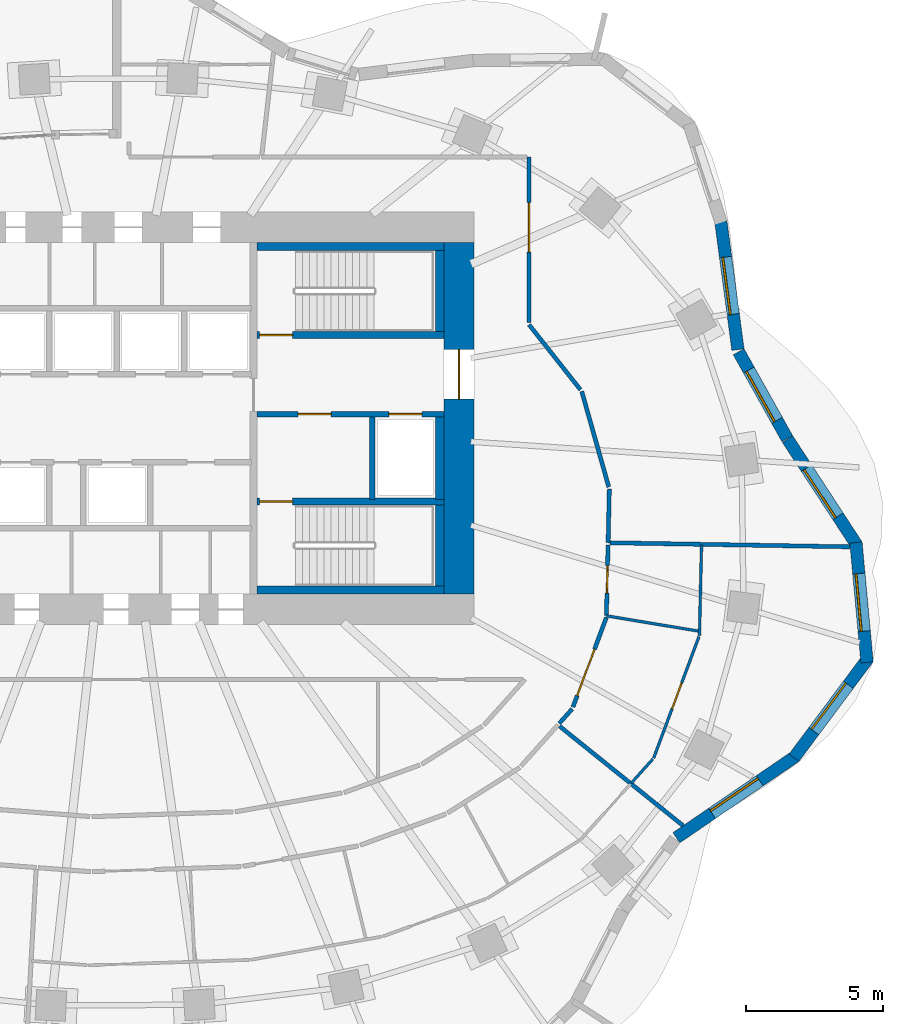
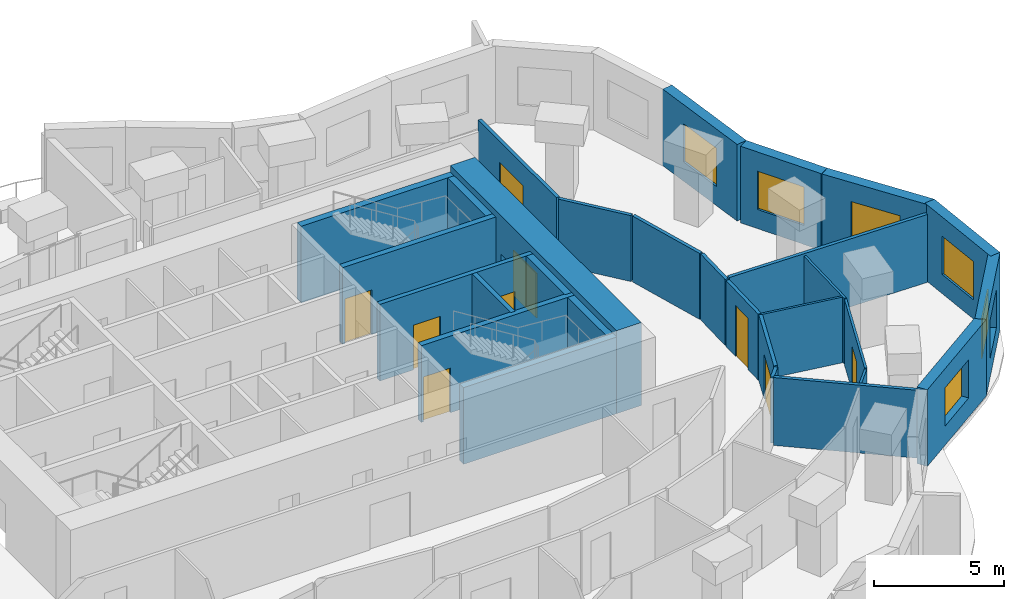
# One storey, part 8 of 11: 29 walls, 9 doors, 6 windows, 15 openings.
"""IFC4 building model written with IfcOpenShell, lengths in metres."""

from ifc_helpers import new_model, si_unit, direction, frame, frame_2d, origin, place, context, subcontext, project, spatial, rectangle, extrude, material, layer, layer_set, type_object, element, fill, save


model = new_model("IFC4")

# Units and contexts
model_context = context("Model", 3, precision=1e-05, world=origin(), true_north=direction((0.0, 1.0)))
body_context = subcontext(model_context, "Body", "Model", "MODEL_VIEW")
ifc_project = project(units=[si_unit("LENGTHUNIT", "METRE"), si_unit("AREAUNIT", "SQUARE_METRE"), si_unit("VOLUMEUNIT", "CUBIC_METRE"), si_unit("PLANEANGLEUNIT", "RADIAN"), si_unit("MASSUNIT", "GRAM", prefix="KILO")], contexts=[model_context])

# Site, building, storey
site_placement = place(None, origin())
site = spatial("IfcSite", under=ifc_project, at=site_placement, CompositionType="ELEMENT")
building_placement = place(site_placement, origin())
building = spatial("IfcBuilding", under=site, at=building_placement, Name="Rubra Terraces Tower", CompositionType="ELEMENT")
storey_placement = place(building_placement, frame((0.0, 0.0, 165.60009765625)))
storey = spatial("IfcBuildingStorey", under=building, at=storey_placement, Name="L40", CompositionType="ELEMENT", Elevation=165.60009765625)

# Wall, opening, window
ifc_material_1 = material(Name="Brick masonry red-brown", Category="masonry")
ifc_layer_1 = layer(ifc_material_1, 0.449951171875)
ifc_layer_set_1 = layer_set([ifc_layer_1], Name="Brick masonry red-brown")
wall_type_1 = type_object("IfcWallType", Name="Brick facade wall 450", PredefinedType="SOLIDWALL", material=ifc_layer_set_1)
wall_1_placement = place(storey_placement, frame((26.92626953125, -0.119140625, 0.0), z_axis=(0.0, 0.0, 1.0), x_axis=(-0.547072638725, 0.837085137819, 0.0)))
wall_1 = element("IfcWall", 1, at=wall_1_placement, inside=storey, type_object=wall_type_1, Name="Facade wall L40 bay 1", PredefinedType="SOLIDWALL", context=body_context, shape_type="SweptSolid", body=[
    extrude(rectangle(XDim=4.61572265625, YDim=0.449951171875, at=frame_2d((2.307861328125, 0.0))), origin(), (0.0, 0.0, 1.0), 3.599853515625),
])
opening_1_placement = place(wall_1_placement, frame((1.2578125, 0.0, 0.89990234375)))
opening_1 = element("IfcOpeningElement", 2, at=opening_1_placement, cuts=wall_1, Name="Opening W1Z", PredefinedType="OPENING", context=body_context, shape_type="SweptSolid", body=[
    extrude(rectangle(XDim=2.10009765625, YDim=1.800048828125, at=frame_2d((1.050048828125, 0.89990234375))), frame((0.0, 0.23486328125, 0.0), z_axis=(0.0, -1.0, 0.0), x_axis=(1.0, 0.0, 0.0)), (0.0, 0.0, 1.0), 0.469970703125),
])
ifc_material_2 = material(Name="Clear glass in aluminium frame", Category="aluminium")
window_type = type_object("IfcWindowType", Name="Fixed deep-set window under transfer level 2100 x 1800", PartitioningType="SINGLE_PANEL", PredefinedType="WINDOW", material=ifc_material_2)
window_1_placement = place(opening_1_placement, origin())
window_1 = element("IfcWindow", 3, at=window_1_placement, inside=storey, type_object=window_type, Name="Window L40 bay 1", OverallHeight=1.800048828125, OverallWidth=2.10009765625, PartitioningType="SINGLE_PANEL", PredefinedType="WINDOW", context=body_context, shape_type="SweptSolid", body=[
    extrude(rectangle(XDim=2.10009765625, YDim=1.800048828125, at=frame_2d((1.050048828125, 0.89990234375))), frame((0.0, 0.135009765625, 0.0), z_axis=(0.0, -1.0, 0.0), x_axis=(1.0, 0.0, 0.0)), (0.0, 0.0, 1.0), 0.06005859375),
])
fill(opening_1, window_1)

wall_2_placement = place(storey_placement, frame((24.392822265625, 3.759033203125, 0.0), z_axis=(0.0, 0.0, 1.0), x_axis=(-0.488324253004, 0.872662262234, 0.0)))
wall_2 = element("IfcWall", 4, at=wall_2_placement, inside=storey, type_object=wall_type_1, Name="Facade wall L40 bay 2", PredefinedType="SOLIDWALL", context=body_context, shape_type="SweptSolid", body=[
    extrude(rectangle(XDim=3.622802734375, YDim=0.449951171875, at=frame_2d((1.8115234375, 0.0))), origin(), (0.0, 0.0, 1.0), 3.599853515625),
])
opening_2_placement = place(wall_2_placement, frame((0.76123046875, 0.0, 0.89990234375)))
opening_2 = element("IfcOpeningElement", 5, at=opening_2_placement, cuts=wall_2, Name="Opening W1Z", PredefinedType="OPENING", context=body_context, shape_type="SweptSolid", body=[
    extrude(rectangle(XDim=2.10009765625, YDim=1.800048828125, at=frame_2d((1.050048828125, 0.89990234375))), frame((0.0, 0.23486328125, 0.0), z_axis=(0.0, -1.0, 0.0), x_axis=(1.0, 0.0, 0.0)), (0.0, 0.0, 1.0), 0.469970703125),
])
window_2_placement = place(opening_2_placement, origin())
window_2 = element("IfcWindow", 6, at=window_2_placement, inside=storey, type_object=window_type, Name="Window L40 bay 2", OverallHeight=1.800048828125, OverallWidth=2.10009765625, PartitioningType="SINGLE_PANEL", PredefinedType="WINDOW", context=body_context, shape_type="SweptSolid", body=[
    extrude(rectangle(XDim=2.10009765625, YDim=1.800048828125, at=frame_2d((1.050048828125, 0.89990234375))), frame((0.0, 0.135009765625, 0.0), z_axis=(0.0, -1.0, 0.0), x_axis=(1.0, 0.0, 0.0)), (0.0, 0.0, 1.0), 0.06005859375),
])
fill(opening_2, window_2)

wall_3_placement = place(storey_placement, frame((22.599853515625, 6.995361328125, 0.0), z_axis=(0.0, 0.0, 1.0), x_axis=(-0.132599346032, 0.991169719792, 0.0)))
wall_3 = element("IfcWall", 7, at=wall_3_placement, inside=storey, type_object=wall_type_1, Name="Facade wall L40 bay 3", PredefinedType="SOLIDWALL", context=body_context, shape_type="SweptSolid", body=[
    extrude(rectangle(XDim=4.69873046875, YDim=0.449951171875, at=frame_2d((2.349365234375, 0.0))), origin(), (0.0, 0.0, 1.0), 3.599853515625),
])
opening_3_placement = place(wall_3_placement, frame((1.29931640625, 0.0, 0.89990234375)))
opening_3 = element("IfcOpeningElement", 8, at=opening_3_placement, cuts=wall_3, Name="Opening W1Z", PredefinedType="OPENING", context=body_context, shape_type="SweptSolid", body=[
    extrude(rectangle(XDim=2.10009765625, YDim=1.800048828125, at=frame_2d((1.050048828125, 0.89990234375))), frame((0.0, 0.23486328125, 0.0), z_axis=(0.0, -1.0, 0.0), x_axis=(1.0, 0.0, 0.0)), (0.0, 0.0, 1.0), 0.469970703125),
])
window_3_placement = place(opening_3_placement, origin())
window_3 = element("IfcWindow", 9, at=window_3_placement, inside=storey, type_object=window_type, Name="Window L40 bay 3", OverallHeight=1.800048828125, OverallWidth=2.10009765625, PartitioningType="SINGLE_PANEL", PredefinedType="WINDOW", context=body_context, shape_type="SweptSolid", body=[
    extrude(rectangle(XDim=2.10009765625, YDim=1.800048828125, at=frame_2d((1.050048828125, 0.89990234375))), frame((0.0, 0.135009765625, 0.0), z_axis=(0.0, -1.0, 0.0), x_axis=(1.0, 0.0, 0.0)), (0.0, 0.0, 1.0), 0.06005859375),
])
fill(opening_3, window_3)

wall_4_placement = place(storey_placement, frame((20.358642578125, -10.760498046875, 0.0), z_axis=(0.0, 0.0, 1.0), x_axis=(0.825616460661, 0.564231743068, 0.0)))
wall_4 = element("IfcWall", 10, at=wall_4_placement, inside=storey, type_object=wall_type_1, Name="Facade wall L40 bay 38", PredefinedType="SOLIDWALL", context=body_context, shape_type="SweptSolid", body=[
    extrude(rectangle(XDim=5.246337890625, YDim=0.449951171875, at=frame_2d((2.623046875, 0.0))), origin(), (0.0, 0.0, 1.0), 3.599853515625),
])
opening_4_placement = place(wall_4_placement, frame((1.5732421875, 0.0, 0.89990234375)))
opening_4 = element("IfcOpeningElement", 11, at=opening_4_placement, cuts=wall_4, Name="Opening W1Z", PredefinedType="OPENING", context=body_context, shape_type="SweptSolid", body=[
    extrude(rectangle(XDim=2.10009765625, YDim=1.800048828125, at=frame_2d((1.050048828125, 0.89990234375))), frame((0.0, 0.23486328125, 0.0), z_axis=(0.0, -1.0, 0.0), x_axis=(1.0, 0.0, 0.0)), (0.0, 0.0, 1.0), 0.469970703125),
])
window_4_placement = place(opening_4_placement, origin())
window_4 = element("IfcWindow", 12, at=window_4_placement, inside=storey, type_object=window_type, Name="Window L40 bay 38", OverallHeight=1.800048828125, OverallWidth=2.10009765625, PartitioningType="SINGLE_PANEL", PredefinedType="WINDOW", context=body_context, shape_type="SweptSolid", body=[
    extrude(rectangle(XDim=2.10009765625, YDim=1.800048828125, at=frame_2d((1.050048828125, 0.89990234375))), frame((0.0, 0.135009765625, 0.0), z_axis=(0.0, -1.0, 0.0), x_axis=(1.0, 0.0, 0.0)), (0.0, 0.0, 1.0), 0.06005859375),
])
fill(opening_4, window_4)

wall_5_placement = place(storey_placement, frame((24.63671875, -7.851806640625, 0.0), z_axis=(0.0, 0.0, 1.0), x_axis=(0.597518748368, 0.80185494034, 0.0)))
wall_5 = element("IfcWall", 13, at=wall_5_placement, inside=storey, type_object=wall_type_1, Name="Facade wall L40 bay 39", PredefinedType="SOLIDWALL", context=body_context, shape_type="SweptSolid", body=[
    extrude(rectangle(XDim=4.5234375, YDim=0.449951171875, at=frame_2d((2.26171875, 0.0))), origin(), (0.0, 0.0, 1.0), 3.599853515625),
])
opening_5_placement = place(wall_5_placement, frame((1.211669921875, 0.0, 0.89990234375)))
opening_5 = element("IfcOpeningElement", 14, at=opening_5_placement, cuts=wall_5, Name="Opening W1Z", PredefinedType="OPENING", context=body_context, shape_type="SweptSolid", body=[
    extrude(rectangle(XDim=2.10009765625, YDim=1.800048828125, at=frame_2d((1.050048828125, 0.89990234375))), frame((0.0, 0.23486328125, 0.0), z_axis=(0.0, -1.0, 0.0), x_axis=(1.0, 0.0, 0.0)), (0.0, 0.0, 1.0), 0.469970703125),
])
window_5_placement = place(opening_5_placement, origin())
window_5 = element("IfcWindow", 15, at=window_5_placement, inside=storey, type_object=window_type, Name="Window L40 bay 39", OverallHeight=1.800048828125, OverallWidth=2.10009765625, PartitioningType="SINGLE_PANEL", PredefinedType="WINDOW", context=body_context, shape_type="SweptSolid", body=[
    extrude(rectangle(XDim=2.10009765625, YDim=1.800048828125, at=frame_2d((1.050048828125, 0.89990234375))), frame((0.0, 0.135009765625, 0.0), z_axis=(0.0, -1.0, 0.0), x_axis=(1.0, 0.0, 0.0)), (0.0, 0.0, 1.0), 0.06005859375),
])
fill(opening_5, window_5)

wall_6_placement = place(storey_placement, frame((27.2958984375, -4.379638671875, 0.0), z_axis=(0.0, 0.0, 1.0), x_axis=(-0.092079421996, 0.995751665851, 0.0)))
wall_6 = element("IfcWall", 16, at=wall_6_placement, inside=storey, type_object=wall_type_1, Name="Facade wall L40 bay 40", PredefinedType="SOLIDWALL", context=body_context, shape_type="SweptSolid", body=[
    extrude(rectangle(XDim=4.37744140625, YDim=0.449951171875, at=frame_2d((2.188720703125, 0.0))), origin(), (0.0, 0.0, 1.0), 3.599853515625),
])
opening_6_placement = place(wall_6_placement, frame((1.138916015625, 0.0, 0.89990234375)))
opening_6 = element("IfcOpeningElement", 17, at=opening_6_placement, cuts=wall_6, Name="Opening W1Z", PredefinedType="OPENING", context=body_context, shape_type="SweptSolid", body=[
    extrude(rectangle(XDim=2.10009765625, YDim=1.800048828125, at=frame_2d((1.050048828125, 0.89990234375))), frame((0.0, 0.23486328125, 0.0), z_axis=(0.0, -1.0, 0.0), x_axis=(1.0, 0.0, 0.0)), (0.0, 0.0, 1.0), 0.469970703125),
])
window_6_placement = place(opening_6_placement, origin())
window_6 = element("IfcWindow", 18, at=window_6_placement, inside=storey, type_object=window_type, Name="Window L40 bay 40", OverallHeight=1.800048828125, OverallWidth=2.10009765625, PartitioningType="SINGLE_PANEL", PredefinedType="WINDOW", context=body_context, shape_type="SweptSolid", body=[
    extrude(rectangle(XDim=2.10009765625, YDim=1.800048828125, at=frame_2d((1.050048828125, 0.89990234375))), frame((0.0, 0.135009765625, 0.0), z_axis=(0.0, -1.0, 0.0), x_axis=(1.0, 0.0, 0.0)), (0.0, 0.0, 1.0), 0.06005859375),
])
fill(opening_6, window_6)

# Wall, opening, door
ifc_material_3 = material(Name="Concrete C60", Category="concrete")
ifc_layer_2 = layer(ifc_material_3, 1.10009765625)
ifc_layer_set_2 = layer_set([ifc_layer_2], Name="Concrete C60")
wall_type_2 = type_object("IfcWallType", Name="CORE WALL 1100 C60", PredefinedType="SHEAR", material=ifc_layer_set_2)
wall_7_placement = place(storey_placement, frame((12.449951171875, -1.89990234375, 0.0), z_axis=(0.0, 0.0, 1.0), x_axis=(0.0, 1.0, 0.0)))
wall_7 = element("IfcWall", 19, at=wall_7_placement, inside=storey, type_object=wall_type_2, Name="CORE WALL E L40", PredefinedType="SHEAR", context=body_context, shape_type="SweptSolid", body=[
    extrude(rectangle(XDim=12.7998046875, YDim=1.10009765625, at=frame_2d((6.39990234375, 0.0))), origin(), (0.0, 0.0, 1.0), 3.89990234375),
])
opening_7_placement = place(wall_7_placement, frame((7.10009765625, 0.0, 0.0)))
opening_7 = element("IfcOpeningElement", 20, at=opening_7_placement, cuts=wall_7, Name="Opening L40.C02", PredefinedType="OPENING", context=body_context, shape_type="SweptSolid", body=[
    extrude(rectangle(XDim=1.800048828125, YDim=2.10009765625, at=frame_2d((0.89990234375, 1.050048828125))), frame((0.0, 0.56005859375, 0.0), z_axis=(0.0, -1.0, 0.0), x_axis=(1.0, 0.0, 0.0)), (0.0, 0.0, 1.0), 1.1201171875),
])
ifc_material_4 = material(Name="Painted steel", Category="steel")
door_type_1 = type_object("IfcDoorType", Name="Fire door 1800x2100 double", OperationType="NOTDEFINED", PredefinedType="DOOR", material=ifc_material_4)
door_1_placement = place(opening_7_placement, origin())
door_1 = element("IfcDoor", 21, at=door_1_placement, inside=storey, type_object=door_type_1, Name="Core entrance door FF2", OperationType="DOUBLE_DOOR_SINGLE_SWING", OverallHeight=2.10009765625, OverallWidth=1.800048828125, PredefinedType="DOOR", context=body_context, shape_type="SweptSolid", body=[
    extrude(rectangle(XDim=1.800048828125, YDim=2.10009765625, at=frame_2d((0.89990234375, 1.050048828125))), frame((0.0, 0.02490234375, 0.0), z_axis=(0.0, -1.0, 0.0), x_axis=(1.0, 0.0, 0.0)), (0.0, 0.0, 1.0), 0.050048828125),
])
fill(opening_7, door_1)

# Walls
ifc_material_5 = material(Name="Plasterboard on steel stud, mineral wool infill", Category="steel")
ifc_layer_3 = layer(ifc_material_5, 0.14990234375)
ifc_layer_set_3 = layer_set([ifc_layer_3], Name="Plasterboard on steel stud, mineral wool infill")
wall_type_3 = type_object("IfcWallType", Name="CORRIDOR PARTITION 150", PredefinedType="PARTITIONING", material=ifc_layer_set_3)
wall_8_placement = place(storey_placement, frame((17.875244140625, -0.0283203125, 0.0), z_axis=(0.0, 0.0, 1.0), x_axis=(0.023087091456, 0.999733457582, 0.0)))
element("IfcWall", 22, at=wall_8_placement, inside=storey, type_object=wall_type_3, Name="PARTITION", PredefinedType="PARTITIONING", context=body_context, shape_type="SweptSolid", body=[
    extrude(rectangle(XDim=1.956298828125, YDim=0.14990234375, at=frame_2d((0.97802734375, 0.0))), origin(), (0.0, 0.0, 1.0), 3.097900390625),
])
wall_9_placement = place(storey_placement, frame((17.89990234375, 1.999755859375, 0.0), z_axis=(0.0, 0.0, 1.0), x_axis=(-0.271937977746, 0.962314780235, 0.0)))
element("IfcWall", 23, at=wall_9_placement, inside=storey, type_object=wall_type_3, Name="PARTITION", PredefinedType="PARTITIONING", context=body_context, shape_type="SweptSolid", body=[
    extrude(rectangle(XDim=3.6162109375, YDim=0.14990234375, at=frame_2d((1.80810546875, 0.0))), origin(), (0.0, 0.0, 1.0), 3.097900390625),
])
wall_10_placement = place(storey_placement, frame((16.869873046875, 5.53857421875, 0.0), z_axis=(0.0, 0.0, 1.0), x_axis=(-0.620093074114, 0.784528252796, 0.0)))
element("IfcWall", 24, at=wall_10_placement, inside=storey, type_object=wall_type_3, Name="PARTITION", PredefinedType="PARTITIONING", context=body_context, shape_type="SweptSolid", body=[
    extrude(rectangle(XDim=3.015380859375, YDim=0.14990234375, at=frame_2d((1.5078125, 0.0))), origin(), (0.0, 0.0, 1.0), 3.097900390625),
])

# Wall, opening, door
wall_11_placement = place(storey_placement, frame((15.0, 7.979248046875, 0.0), z_axis=(0.0, 0.0, 1.0), x_axis=(0.0, 1.0, 0.0)))
wall_11 = element("IfcWall", 25, at=wall_11_placement, inside=storey, type_object=wall_type_3, Name="PARTITION", PredefinedType="PARTITIONING", context=body_context, shape_type="SweptSolid", body=[
    extrude(rectangle(XDim=6.020751953125, YDim=0.14990234375, at=frame_2d((3.01025390625, 0.0))), origin(), (0.0, 0.0, 1.0), 3.097900390625),
])
opening_8_placement = place(wall_11_placement, frame((2.569091796875, 0.0, 0.0)))
opening_8 = element("IfcOpeningElement", 26, at=opening_8_placement, cuts=wall_11, Name="Opening 40-101", PredefinedType="OPENING", context=body_context, shape_type="SweptSolid", body=[
    extrude(rectangle(XDim=1.800048828125, YDim=2.10009765625, at=frame_2d((0.89990234375, 1.050048828125))), frame((0.0, 0.0849609375, 0.0), z_axis=(0.0, -1.0, 0.0), x_axis=(1.0, 0.0, 0.0)), (0.0, 0.0, 1.0), 0.169921875),
])
ifc_material_6 = material(Name="Painted timber door leaf, double", Category="wood")
door_type_2 = type_object("IfcDoorType", Name="ROOM DOUBLE DOOR 1800 X 2100", OperationType="DOUBLE_DOOR_SINGLE_SWING", PredefinedType="DOOR", material=ifc_material_6)
door_2_placement = place(opening_8_placement, origin())
door_2 = element("IfcDoor", 27, at=door_2_placement, inside=storey, type_object=door_type_2, Name="DOOR 40-101", OperationType="DOUBLE_DOOR_SINGLE_SWING", OverallHeight=2.10009765625, OverallWidth=1.800048828125, PredefinedType="DOOR", context=body_context, shape_type="SweptSolid", body=[
    extrude(rectangle(XDim=1.800048828125, YDim=2.10009765625, at=frame_2d((0.89990234375, 1.050048828125))), frame((0.0, 0.02490234375, 0.0), z_axis=(0.0, -1.0, 0.0), x_axis=(1.0, 0.0, 0.0)), (0.0, 0.0, 1.0), 0.050048828125),
])
fill(opening_8, door_2)

# Wall
wall_12_placement = place(storey_placement, frame((16.10009765625, -6.599365234375, 0.0), z_axis=(0.0, 0.0, 1.0), x_axis=(0.667300297025, 0.744788771122, 0.0)))
element("IfcWall", 28, at=wall_12_placement, inside=storey, type_object=wall_type_3, Name="PARTITION", PredefinedType="PARTITIONING", context=body_context, shape_type="SweptSolid", body=[
    extrude(rectangle(XDim=0.705810546875, YDim=0.14990234375, at=frame_2d((0.35302734375, 0.0))), origin(), (0.0, 0.0, 1.0), 3.097900390625),
])

# Wall, opening, door
wall_13_placement = place(storey_placement, frame((16.597412109375, -6.00341796875, 0.0), z_axis=(0.0, 0.0, 1.0), x_axis=(0.349499455299, 0.936936567088, 0.0)))
wall_13 = element("IfcWall", 29, at=wall_13_placement, inside=storey, type_object=wall_type_3, Name="PARTITION", PredefinedType="PARTITIONING", context=body_context, shape_type="SweptSolid", body=[
    extrude(rectangle(XDim=3.477294921875, YDim=0.14990234375, at=frame_2d((1.73876953125, 0.0))), origin(), (0.0, 0.0, 1.0), 3.097900390625),
])
opening_9_placement = place(wall_13_placement, frame((0.43994140625, 0.0, 0.0)))
opening_9 = element("IfcOpeningElement", 30, at=opening_9_placement, cuts=wall_13, Name="Opening 40-115", PredefinedType="OPENING", context=body_context, shape_type="SweptSolid", body=[
    extrude(rectangle(XDim=1.800048828125, YDim=2.10009765625, at=frame_2d((0.89990234375, 1.050048828125))), frame((0.0, 0.0849609375, 0.0), z_axis=(0.0, -1.0, 0.0), x_axis=(1.0, 0.0, 0.0)), (0.0, 0.0, 1.0), 0.169921875),
])
door_3_placement = place(opening_9_placement, origin())
door_3 = element("IfcDoor", 31, at=door_3_placement, inside=storey, type_object=door_type_2, Name="DOOR 40-115", OperationType="DOUBLE_DOOR_SINGLE_SWING", OverallHeight=2.10009765625, OverallWidth=1.800048828125, PredefinedType="DOOR", context=body_context, shape_type="SweptSolid", body=[
    extrude(rectangle(XDim=1.800048828125, YDim=2.10009765625, at=frame_2d((0.89990234375, 1.050048828125))), frame((0.0, 0.02490234375, 0.0), z_axis=(0.0, -1.0, 0.0), x_axis=(1.0, 0.0, 0.0)), (0.0, 0.0, 1.0), 0.050048828125),
])
fill(opening_9, door_3)

wall_14_placement = place(storey_placement, frame((17.814453125, -2.67041015625, 0.0), z_axis=(0.0, 0.0, 1.0), x_axis=(0.023010835286, 0.999735215674, 0.0)))
wall_14 = element("IfcWall", 32, at=wall_14_placement, inside=storey, type_object=wall_type_3, Name="PARTITION", PredefinedType="PARTITIONING", context=body_context, shape_type="SweptSolid", body=[
    extrude(rectangle(XDim=2.567626953125, YDim=0.14990234375, at=frame_2d((1.28369140625, 0.0))), origin(), (0.0, 0.0, 1.0), 3.097900390625),
])
opening_10_placement = place(wall_14_placement, frame((0.81298828125, 0.0, 0.0)))
opening_10 = element("IfcOpeningElement", 33, at=opening_10_placement, cuts=wall_14, Name="Opening 40-117", PredefinedType="OPENING", context=body_context, shape_type="SweptSolid", body=[
    extrude(rectangle(XDim=1.0, YDim=2.39990234375, at=frame_2d((0.5, 1.199951171875))), frame((0.0, 0.0849609375, 0.0), z_axis=(0.0, -1.0, 0.0), x_axis=(1.0, 0.0, 0.0)), (0.0, 0.0, 1.0), 0.169921875),
])
ifc_material_7 = material(Name="Glazed aluminium meeting door leaf", Category="aluminium")
door_type_3 = type_object("IfcDoorType", Name="MEETING ROOM GLAZED DOOR 1000 X 2400", OperationType="SINGLE_SWING_LEFT", PredefinedType="DOOR", material=ifc_material_7)
door_4_placement = place(opening_10_placement, origin())
door_4 = element("IfcDoor", 34, at=door_4_placement, inside=storey, type_object=door_type_3, Name="DOOR 40-117", OperationType="SINGLE_SWING_RIGHT", OverallHeight=2.39990234375, OverallWidth=1.0, PredefinedType="DOOR", context=body_context, shape_type="SweptSolid", body=[
    extrude(rectangle(XDim=1.0, YDim=2.39990234375, at=frame_2d((0.5, 1.199951171875))), frame((0.0, 0.02490234375, 0.0), z_axis=(0.0, -1.0, 0.0), x_axis=(1.0, 0.0, 0.0)), (0.0, 0.0, 1.0), 0.050048828125),
])
fill(opening_10, door_4)

# Walls
ifc_material_8 = material(Name="Concrete C40", Category="concrete")
ifc_layer_4 = layer(ifc_material_8, 0.300048828125)
ifc_layer_set_4 = layer_set([ifc_layer_4], Name="Concrete C40")
wall_type_4 = type_object("IfcWallType", Name="Core lining wall 300 concrete", PredefinedType="SOLIDWALL", material=ifc_layer_set_4)
wall_15_placement = place(storey_placement, frame((11.89990234375, 10.75, 0.0), z_axis=(0.0, 0.0, 1.0), x_axis=(-1.0, 0.0, 0.0)))
element("IfcWall", 35, at=wall_15_placement, inside=storey, type_object=wall_type_4, Name="CORE LINING WALL L40", PredefinedType="SOLIDWALL", context=body_context, shape_type="SweptSolid", body=[
    extrude(rectangle(XDim=6.7998046875, YDim=0.300048828125, at=frame_2d((3.39990234375, 0.0))), origin(), (0.0, 0.0, 1.0), 3.599853515625),
])
wall_16_placement = place(storey_placement, frame((11.75, 10.60009765625, 0.0), z_axis=(0.0, 0.0, 1.0), x_axis=(0.0, -1.0, 0.0)))
element("IfcWall", 36, at=wall_16_placement, inside=storey, type_object=wall_type_4, Name="CORE LINING WALL L40", PredefinedType="SOLIDWALL", context=body_context, shape_type="SweptSolid", body=[
    extrude(rectangle(XDim=2.9501953125, YDim=0.300048828125, at=frame_2d((1.47509765625, 0.0))), origin(), (0.0, 0.0, 1.0), 3.599853515625),
])
wall_17_placement = place(storey_placement, frame((11.75, 4.550048828125, 0.0), z_axis=(0.0, 0.0, 1.0), x_axis=(0.0, -1.0, 0.0)))
element("IfcWall", 37, at=wall_17_placement, inside=storey, type_object=wall_type_4, Name="CORE LINING WALL L40", PredefinedType="SOLIDWALL", context=body_context, shape_type="SweptSolid", body=[
    extrude(rectangle(XDim=3.0, YDim=0.300048828125, at=frame_2d((1.5, 0.0))), origin(), (0.0, 0.0, 1.0), 3.599853515625),
])
wall_18_placement = place(storey_placement, frame((11.75, 1.35009765625, 0.0), z_axis=(0.0, 0.0, 1.0), x_axis=(0.0, -1.0, 0.0)))
element("IfcWall", 38, at=wall_18_placement, inside=storey, type_object=wall_type_4, Name="CORE LINING WALL L40", PredefinedType="SOLIDWALL", context=body_context, shape_type="SweptSolid", body=[
    extrude(rectangle(XDim=2.9501953125, YDim=0.300048828125, at=frame_2d((1.47509765625, 0.0))), origin(), (0.0, 0.0, 1.0), 3.599853515625),
])
wall_19_placement = place(storey_placement, frame((11.89990234375, -1.75, 0.0), z_axis=(0.0, 0.0, 1.0), x_axis=(-1.0, 0.0, 0.0)))
element("IfcWall", 39, at=wall_19_placement, inside=storey, type_object=wall_type_4, Name="CORE LINING WALL L40", PredefinedType="SOLIDWALL", context=body_context, shape_type="SweptSolid", body=[
    extrude(rectangle(XDim=6.7998046875, YDim=0.300048828125, at=frame_2d((3.39990234375, 0.0))), origin(), (0.0, 0.0, 1.0), 3.599853515625),
])

# Wall, openings, doors
ifc_material_9 = material(Name="Concrete C30", Category="concrete")
ifc_layer_5 = layer(ifc_material_9, 0.199951171875)
ifc_layer_set_5 = layer_set([ifc_layer_5], Name="Concrete C30")
wall_type_5 = type_object("IfcWallType", Name="Core wall 200 concrete", PredefinedType="SOLIDWALL", material=ifc_layer_set_5)
wall_20_placement = place(storey_placement, frame((11.89990234375, 4.64990234375, 0.0), z_axis=(0.0, 0.0, 1.0), x_axis=(-1.0, 0.0, 0.0)))
wall_20 = element("IfcWall", 40, at=wall_20_placement, inside=storey, type_object=wall_type_5, Name="STAIR WALL L40", PredefinedType="SOLIDWALL", context=body_context, shape_type="SweptSolid", body=[
    extrude(rectangle(XDim=6.7998046875, YDim=0.199951171875, at=frame_2d((3.39990234375, 0.0))), origin(), (0.0, 0.0, 1.0), 3.599853515625),
])
opening_11_placement = place(wall_20_placement, frame((4.10009765625, 0.0, 0.0)))
opening_11 = element("IfcOpeningElement", 41, at=opening_11_placement, cuts=wall_20, Name="Opening L40.C06", PredefinedType="OPENING", context=body_context, shape_type="SweptSolid", body=[
    extrude(rectangle(XDim=1.199951171875, YDim=2.10009765625, at=frame_2d((0.60009765625, 1.050048828125))), frame((0.0, 0.10986328125, 0.0), z_axis=(0.0, -1.0, 0.0), x_axis=(1.0, 0.0, 0.0)), (0.0, 0.0, 1.0), 0.219970703125),
])
opening_12_placement = place(wall_20_placement, frame((0.800048828125, 0.0, 0.0)))
opening_12 = element("IfcOpeningElement", 42, at=opening_12_placement, cuts=wall_20, Name="Opening L40.C12", PredefinedType="OPENING", context=body_context, shape_type="SweptSolid", body=[
    extrude(rectangle(XDim=1.199951171875, YDim=2.10009765625, at=frame_2d((0.60009765625, 1.050048828125))), frame((0.0, 0.10986328125, 0.0), z_axis=(0.0, -1.0, 0.0), x_axis=(1.0, 0.0, 0.0)), (0.0, 0.0, 1.0), 0.219970703125),
])
door_type_4 = type_object("IfcDoorType", Name="Fire door 1200x2100 single", OperationType="NOTDEFINED", PredefinedType="DOOR", material=ifc_material_4)
door_5_placement = place(opening_11_placement, origin())
door_5 = element("IfcDoor", 43, at=door_5_placement, inside=storey, type_object=door_type_4, Name="Stair vestibule door S4", OperationType="SINGLE_SWING_RIGHT", OverallHeight=2.10009765625, OverallWidth=1.199951171875, PredefinedType="DOOR", context=body_context, shape_type="SweptSolid", body=[
    extrude(rectangle(XDim=1.199951171875, YDim=2.10009765625, at=frame_2d((0.60009765625, 1.050048828125))), frame((0.0, 0.02490234375, 0.0), z_axis=(0.0, -1.0, 0.0), x_axis=(1.0, 0.0, 0.0)), (0.0, 0.0, 1.0), 0.050048828125),
])
fill(opening_11, door_5)
ifc_material_10 = material(Name="Stainless steel", Category="steel")
door_type_5 = type_object("IfcDoorType", Name="Lift landing door 1200x2100", OperationType="NOTDEFINED", PredefinedType="DOOR", material=ifc_material_10)
door_6_placement = place(opening_12_placement, origin())
door_6 = element("IfcDoor", 44, at=door_6_placement, inside=storey, type_object=door_type_5, Name="Landing door FF2", OperationType="SLIDING_TO_RIGHT", OverallHeight=2.10009765625, OverallWidth=1.199951171875, PredefinedType="DOOR", context=body_context, shape_type="SweptSolid", body=[
    extrude(rectangle(XDim=1.199951171875, YDim=2.10009765625, at=frame_2d((0.60009765625, 1.050048828125))), frame((0.0, 0.02490234375, 0.0), z_axis=(0.0, -1.0, 0.0), x_axis=(1.0, 0.0, 0.0)), (0.0, 0.0, 1.0), 0.050048828125),
])
fill(opening_12, door_6)

# Walls
wall_21_placement = place(storey_placement, frame((9.300048828125, 4.550048828125, 0.0), z_axis=(0.0, 0.0, 1.0), x_axis=(0.0, -1.0, 0.0)))
element("IfcWall", 45, at=wall_21_placement, inside=storey, type_object=wall_type_5, Name="STAIR WALL L40", PredefinedType="SOLIDWALL", context=body_context, shape_type="SweptSolid", body=[
    extrude(rectangle(XDim=3.0, YDim=0.199951171875, at=frame_2d((1.5, 0.0))), origin(), (0.0, 0.0, 1.0), 3.599853515625),
])
ifc_material_11 = material(Name="Plasterboard on steel stud", Category="steel")
ifc_layer_6 = layer(ifc_material_11, 0.10009765625)
ifc_layer_set_6 = layer_set([ifc_layer_6], Name="Plasterboard on steel stud")
wall_type_6 = type_object("IfcWallType", Name="ROOM PARTITION 100", PredefinedType="PARTITIONING", material=ifc_layer_set_6)
wall_22_placement = place(storey_placement, frame((21.2744140625, -0.105712890625, 0.0), z_axis=(0.0, 0.0, 1.0), x_axis=(-0.023066789158, -0.999733926221, 0.0)))
element("IfcWall", 46, at=wall_22_placement, inside=storey, type_object=wall_type_6, Name="PARTITION", PredefinedType="PARTITIONING", context=body_context, shape_type="SweptSolid", body=[
    extrude(rectangle(XDim=3.291748046875, YDim=0.10009765625, at=frame_2d((1.64599609375, 0.0))), origin(), (0.0, 0.0, 1.0), 3.083984375),
])

# Wall, opening, door
wall_23_placement = place(storey_placement, frame((21.180908203125, -3.443359375, 0.0), z_axis=(0.0, 0.0, 1.0), x_axis=(-0.349438657616, -0.936959243811, 0.0)))
wall_23 = element("IfcWall", 47, at=wall_23_placement, inside=storey, type_object=wall_type_6, Name="PARTITION", PredefinedType="PARTITIONING", context=body_context, shape_type="SweptSolid", body=[
    extrude(rectangle(XDim=4.718017578125, YDim=0.10009765625, at=frame_2d((2.35888671875, 0.0))), origin(), (0.0, 0.0, 1.0), 3.083984375),
])
opening_13_placement = place(wall_23_placement, frame((1.800048828125, 0.0, 0.0)))
opening_13 = element("IfcOpeningElement", 48, at=opening_13_placement, cuts=wall_23, Name="Opening 40-116", PredefinedType="OPENING", context=body_context, shape_type="SweptSolid", body=[
    extrude(rectangle(XDim=1.0, YDim=2.10009765625, at=frame_2d((0.5, 1.050048828125))), frame((0.0, 0.06005859375, 0.0), z_axis=(0.0, -1.0, 0.0), x_axis=(1.0, 0.0, 0.0)), (0.0, 0.0, 1.0), 0.1201171875),
])
ifc_material_12 = material(Name="Painted timber door leaf", Category="wood")
door_type_6 = type_object("IfcDoorType", Name="ROOM DOOR 1000 X 2100", OperationType="SINGLE_SWING_LEFT", PredefinedType="DOOR", material=ifc_material_12)
door_7_placement = place(opening_13_placement, origin())
door_7 = element("IfcDoor", 49, at=door_7_placement, inside=storey, type_object=door_type_6, Name="DOOR 40-116", OperationType="SINGLE_SWING_LEFT", OverallHeight=2.10009765625, OverallWidth=1.0, PredefinedType="DOOR", context=body_context, shape_type="SweptSolid", body=[
    extrude(rectangle(XDim=1.0, YDim=2.10009765625, at=frame_2d((0.5, 1.050048828125))), frame((0.0, 0.02490234375, 0.0), z_axis=(0.0, -1.0, 0.0), x_axis=(1.0, 0.0, 0.0)), (0.0, 0.0, 1.0), 0.050048828125),
])
fill(opening_13, door_7)

# Walls
wall_24_placement = place(storey_placement, frame((19.498779296875, -7.9013671875, 0.0), z_axis=(0.0, 0.0, 1.0), x_axis=(-0.667342114275, -0.74475130246, 0.0)))
element("IfcWall", 50, at=wall_24_placement, inside=storey, type_object=wall_type_6, Name="PARTITION", PredefinedType="PARTITIONING", context=body_context, shape_type="SweptSolid", body=[
    extrude(rectangle(XDim=1.17333984375, YDim=0.10009765625, at=frame_2d((0.586669921875, 0.0))), origin(), (0.0, 0.0, 1.0), 3.083984375),
])
wall_25_placement = place(storey_placement, frame((17.81396484375, -2.68701171875, 0.0), z_axis=(0.0, 0.0, 1.0), x_axis=(0.986465965325, -0.163966152774, 0.0)))
element("IfcWall", 51, at=wall_25_placement, inside=storey, type_object=wall_type_6, Name="PARTITION", PredefinedType="PARTITIONING", context=body_context, shape_type="SweptSolid", body=[
    extrude(rectangle(XDim=3.384521484375, YDim=0.10009765625, at=frame_2d((1.6923828125, 0.0))), origin(), (0.0, 0.0, 1.0), 3.083984375),
])
ifc_layer_7 = layer(ifc_material_11, 0.14990234375)
ifc_layer_set_7 = layer_set([ifc_layer_7], Name="Plasterboard on steel stud")
wall_type_7 = type_object("IfcWallType", Name="ROOM PARTITION 150", PredefinedType="PARTITIONING", material=ifc_layer_set_7)
wall_26_placement = place(storey_placement, frame((26.677490234375, -0.177001953125, 0.0), z_axis=(0.0, 0.0, 1.0), x_axis=(-0.999857756393, 0.016866148966, 0.0)))
element("IfcWall", 52, at=wall_26_placement, inside=storey, type_object=wall_type_7, Name="PARTITION", PredefinedType="PARTITIONING", context=body_context, shape_type="SweptSolid", body=[
    extrude(rectangle(XDim=8.728515625, YDim=0.14990234375, at=frame_2d((4.3642578125, 0.0))), origin(), (0.0, 0.0, 1.0), 3.18994140625),
])
wall_27_placement = place(storey_placement, frame((20.600341796875, -10.31787109375, 0.0), z_axis=(0.0, 0.0, 1.0), x_axis=(-0.778973348429, 0.627057032842, 0.0)))
element("IfcWall", 53, at=wall_27_placement, inside=storey, type_object=wall_type_7, Name="PARTITION", PredefinedType="PARTITIONING", context=body_context, shape_type="SweptSolid", body=[
    extrude(rectangle(XDim=5.76611328125, YDim=0.14990234375, at=frame_2d((2.883056640625, 0.0))), origin(), (0.0, 0.0, 1.0), 3.18994140625),
])

# Wall, opening, door
ifc_layer_8 = layer(ifc_material_8, 0.25)
ifc_layer_set_8 = layer_set([ifc_layer_8], Name="Concrete C40")
wall_type_8 = type_object("IfcWallType", Name="Stair enclosure wall 250 concrete", PredefinedType="SOLIDWALL", material=ifc_layer_set_8)
wall_28_placement = place(storey_placement, frame((11.89990234375, 7.52490234375, 0.0), z_axis=(0.0, 0.0, 1.0), x_axis=(-1.0, 0.0, 0.0)))
wall_28 = element("IfcWall", 54, at=wall_28_placement, inside=storey, type_object=wall_type_8, Name="STAIR WALL L40", PredefinedType="SOLIDWALL", context=body_context, shape_type="SweptSolid", body=[
    extrude(rectangle(XDim=6.7998046875, YDim=0.25, at=frame_2d((3.39990234375, 0.0))), origin(), (0.0, 0.0, 1.0), 3.599853515625),
])
opening_14_placement = place(wall_28_placement, frame((5.5, 0.0, 0.0)))
opening_14 = element("IfcOpeningElement", 55, at=opening_14_placement, cuts=wall_28, Name="Opening L40.C08", PredefinedType="OPENING", context=body_context, shape_type="SweptSolid", body=[
    extrude(rectangle(XDim=1.199951171875, YDim=2.10009765625, at=frame_2d((0.60009765625, 1.050048828125))), frame((0.0, 0.135009765625, 0.0), z_axis=(0.0, -1.0, 0.0), x_axis=(1.0, 0.0, 0.0)), (0.0, 0.0, 1.0), 0.27001953125),
])
door_8_placement = place(opening_14_placement, origin())
door_8 = element("IfcDoor", 56, at=door_8_placement, inside=storey, type_object=door_type_4, Name="Stair door S3", OperationType="SINGLE_SWING_RIGHT", OverallHeight=2.10009765625, OverallWidth=1.199951171875, PredefinedType="DOOR", context=body_context, shape_type="SweptSolid", body=[
    extrude(rectangle(XDim=1.199951171875, YDim=2.10009765625, at=frame_2d((0.60009765625, 1.050048828125))), frame((0.0, 0.02490234375, 0.0), z_axis=(0.0, -1.0, 0.0), x_axis=(1.0, 0.0, 0.0)), (0.0, 0.0, 1.0), 0.050048828125),
])
fill(opening_14, door_8)

wall_29_placement = place(storey_placement, frame((11.89990234375, 1.47509765625, 0.0), z_axis=(0.0, 0.0, 1.0), x_axis=(-1.0, 0.0, 0.0)))
wall_29 = element("IfcWall", 57, at=wall_29_placement, inside=storey, type_object=wall_type_8, Name="STAIR WALL L40", PredefinedType="SOLIDWALL", context=body_context, shape_type="SweptSolid", body=[
    extrude(rectangle(XDim=6.7998046875, YDim=0.25, at=frame_2d((3.39990234375, 0.0))), origin(), (0.0, 0.0, 1.0), 3.599853515625),
])
opening_15_placement = place(wall_29_placement, frame((5.5, 0.0, 0.0)))
opening_15 = element("IfcOpeningElement", 58, at=opening_15_placement, cuts=wall_29, Name="Opening L40.C10", PredefinedType="OPENING", context=body_context, shape_type="SweptSolid", body=[
    extrude(rectangle(XDim=1.199951171875, YDim=2.10009765625, at=frame_2d((0.60009765625, 1.050048828125))), frame((0.0, 0.135009765625, 0.0), z_axis=(0.0, -1.0, 0.0), x_axis=(1.0, 0.0, 0.0)), (0.0, 0.0, 1.0), 0.27001953125),
])
door_9_placement = place(opening_15_placement, origin())
door_9 = element("IfcDoor", 59, at=door_9_placement, inside=storey, type_object=door_type_4, Name="Stair door S4", OperationType="SINGLE_SWING_RIGHT", OverallHeight=2.10009765625, OverallWidth=1.199951171875, PredefinedType="DOOR", context=body_context, shape_type="SweptSolid", body=[
    extrude(rectangle(XDim=1.199951171875, YDim=2.10009765625, at=frame_2d((0.60009765625, 1.050048828125))), frame((0.0, 0.02490234375, 0.0), z_axis=(0.0, -1.0, 0.0), x_axis=(1.0, 0.0, 0.0)), (0.0, 0.0, 1.0), 0.050048828125),
])
fill(opening_15, door_9)

save(model, "model.ifc")
